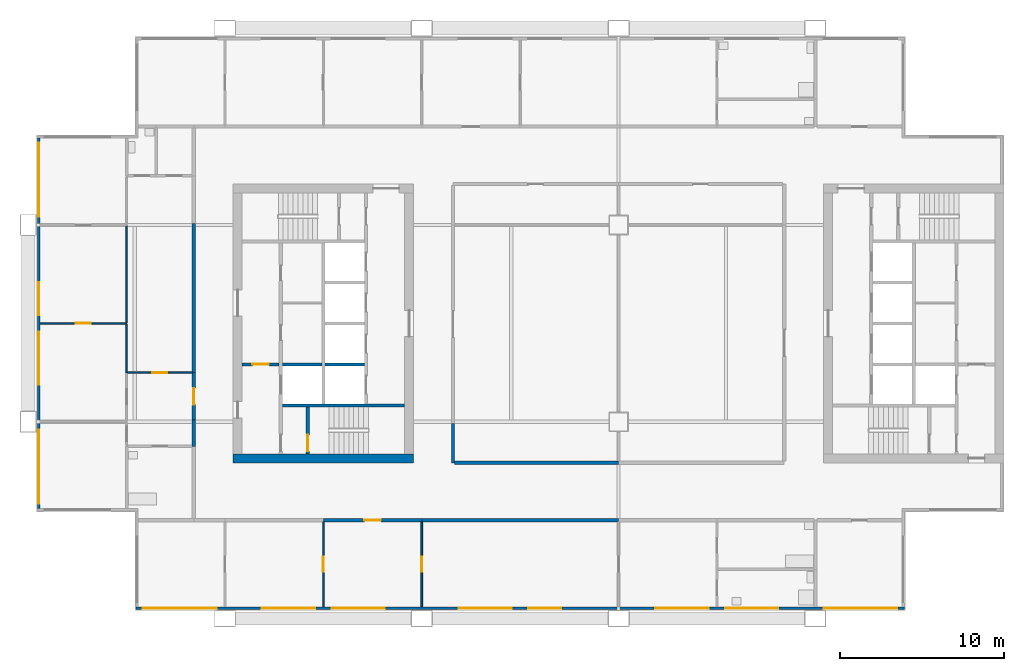
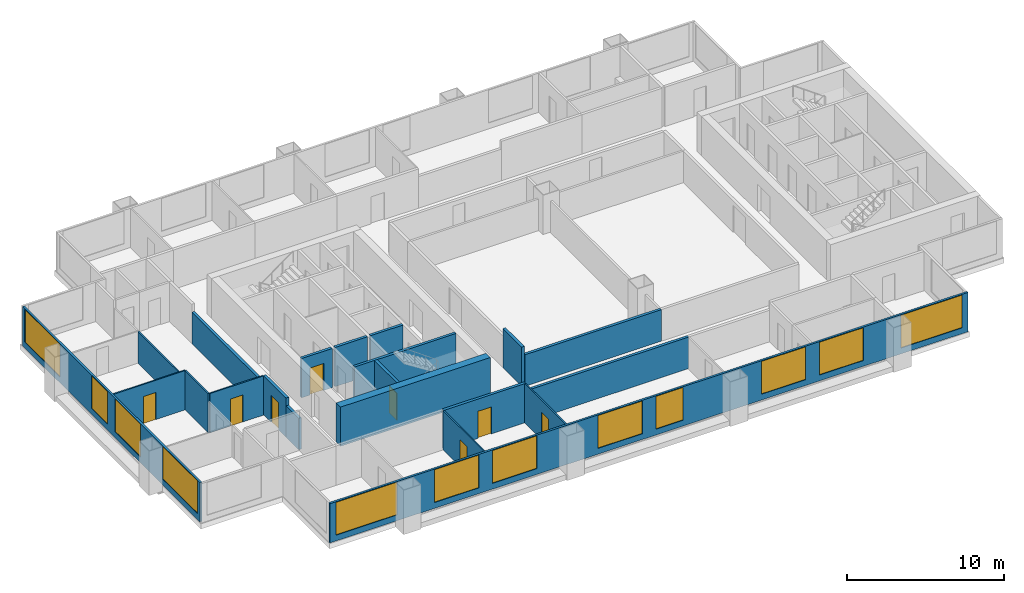
# One storey, part 2 of 8: 21 walls, 12 windows, 8 doors, 20 openings.
"""IFC4 building model written with IfcOpenShell, lengths in metres."""

from ifc_helpers import new_model, si_unit, direction, frame, frame_2d, origin, place, context, subcontext, project, spatial, rectangle, extrude, material, layer, layer_set, type_object, element, fill, save


model = new_model("IFC4")

# Units and contexts
model_context = context("Model", 3, precision=1e-05, world=origin(), true_north=direction((0.0, 1.0)))
body_context = subcontext(model_context, "Body", "Model", "MODEL_VIEW")
ifc_project = project(units=[si_unit("LENGTHUNIT", "METRE"), si_unit("AREAUNIT", "SQUARE_METRE"), si_unit("VOLUMEUNIT", "CUBIC_METRE"), si_unit("PLANEANGLEUNIT", "RADIAN"), si_unit("MASSUNIT", "GRAM", prefix="KILO")], contexts=[model_context])

# Site, building, storey
site_placement = place(None, origin())
site = spatial("IfcSite", under=ifc_project, at=site_placement, CompositionType="ELEMENT")
building_placement = place(site_placement, origin())
building = spatial("IfcBuilding", under=site, at=building_placement, Name="Kitamizu Gate Tower and Museum", CompositionType="ELEMENT")
storey_placement = place(building_placement, frame((0.0, 0.0, 172.050048828125)))
storey = spatial("IfcBuildingStorey", under=building, at=storey_placement, Name="L45", CompositionType="ELEMENT", Elevation=172.050048828125)

# Wall
ifc_material_1 = material(Name="Concrete Fc42", Category="concrete")
ifc_layer_1 = layer(ifc_material_1, 0.550048828125)
ifc_layer_set_1 = layer_set([ifc_layer_1], Name="Concrete Fc42")
wall_type_1 = type_object("IfcWallType", Name="Core wall 550", PredefinedType="SHEAR", material=ifc_layer_set_1)
wall_1_placement = place(storey_placement, frame((12.5, 21.77490234375, 0.0), z_axis=(0.0, 0.0, 1.0), x_axis=(1.0, 0.0, 0.0)))
element("IfcWall", 1, at=wall_1_placement, inside=storey, type_object=wall_type_1, Name="Core wall WS", PredefinedType="SHEAR", context=body_context, shape_type="SweptSolid", body=[
    extrude(rectangle(XDim=11.0, YDim=0.550048828125, at=frame_2d((5.5, 0.0))), origin(), (0.0, 0.0, 1.0), 3.050048828125),
])

# Wall, opening, door
ifc_material_2 = material(Name="Gypsum board on galvanised stud")
ifc_layer_2 = layer(ifc_material_2, 0.10009765625)
ifc_layer_set_2 = layer_set([ifc_layer_2], Name="Gypsum board on galvanised stud")
wall_type_2 = type_object("IfcWallType", Name="Partition 100 NOT RATED", PredefinedType="PARTITIONING", material=ifc_layer_set_2)
wall_2_placement = place(storey_placement, frame((18.0, 12.719970703125, 0.0), z_axis=(0.0, 0.0, 1.0), x_axis=(0.0, 1.0, 0.0)))
wall_2 = element("IfcWall", 2, at=wall_2_placement, inside=storey, type_object=wall_type_2, Name="Partition L45-004", PredefinedType="PARTITIONING", context=body_context, shape_type="SweptSolid", body=[
    extrude(rectangle(XDim=5.179931640625, YDim=0.10009765625, at=frame_2d((2.58984375, 0.0))), origin(), (0.0, 0.0, 1.0), 3.050048828125),
])
opening_1_placement = place(wall_2_placement, frame((2.139892578125, 0.0, 0.0)))
opening_1 = element("IfcOpeningElement", 3, at=opening_1_placement, cuts=wall_2, Name="Opening L45-003", PredefinedType="OPENING", context=body_context, shape_type="SweptSolid", body=[
    extrude(rectangle(XDim=0.89990234375, YDim=2.10009765625, at=frame_2d((0.449951171875, 1.050048828125))), frame((0.0, 0.06005859375, 0.0), z_axis=(0.0, -1.0, 0.0), x_axis=(1.0, 0.0, 0.0)), (0.0, 0.0, 1.0), 0.1201171875),
])
ifc_material_3 = material(Name="Timber door set", Category="wood")
door_type_1 = type_object("IfcDoorType", Name="Room door 900", OperationType="NOTDEFINED", PredefinedType="DOOR", material=ifc_material_3)
door_1_placement = place(opening_1_placement, origin())
door_1 = element("IfcDoor", 4, at=door_1_placement, inside=storey, type_object=door_type_1, Name="Door L45-003", OperationType="SINGLE_SWING_RIGHT", OverallHeight=2.10009765625, OverallWidth=0.89990234375, PredefinedType="DOOR", context=body_context, shape_type="SweptSolid", body=[
    extrude(rectangle(XDim=0.89990234375, YDim=2.10009765625, at=frame_2d((0.449951171875, 1.050048828125))), frame((0.0, 0.02490234375, 0.0), z_axis=(0.0, -1.0, 0.0), x_axis=(1.0, 0.0, 0.0)), (0.0, 0.0, 1.0), 0.050048828125),
])
fill(opening_1, door_1)

wall_3_placement = place(storey_placement, frame((24.0, 12.719970703125, 0.0), z_axis=(0.0, 0.0, 1.0), x_axis=(0.0, 1.0, 0.0)))
wall_3 = element("IfcWall", 5, at=wall_3_placement, inside=storey, type_object=wall_type_2, Name="Partition L45-006", PredefinedType="PARTITIONING", context=body_context, shape_type="SweptSolid", body=[
    extrude(rectangle(XDim=5.179931640625, YDim=0.10009765625, at=frame_2d((2.58984375, 0.0))), origin(), (0.0, 0.0, 1.0), 3.050048828125),
])
opening_2_placement = place(wall_3_placement, frame((2.139892578125, 0.0, 0.0)))
opening_2 = element("IfcOpeningElement", 6, at=opening_2_placement, cuts=wall_3, Name="Opening L45-002", PredefinedType="OPENING", context=body_context, shape_type="SweptSolid", body=[
    extrude(rectangle(XDim=0.89990234375, YDim=2.10009765625, at=frame_2d((0.449951171875, 1.050048828125))), frame((0.0, 0.06005859375, 0.0), z_axis=(0.0, -1.0, 0.0), x_axis=(1.0, 0.0, 0.0)), (0.0, 0.0, 1.0), 0.1201171875),
])
door_2_placement = place(opening_2_placement, frame((0.89990234375, 0.0, 0.0), x_axis=(-1.0, 0.0, 0.0)))
door_2 = element("IfcDoor", 7, at=door_2_placement, inside=storey, type_object=door_type_1, Name="Door L45-002", OperationType="SINGLE_SWING_RIGHT", OverallHeight=2.10009765625, OverallWidth=0.89990234375, PredefinedType="DOOR", context=body_context, shape_type="SweptSolid", body=[
    extrude(rectangle(XDim=0.89990234375, YDim=2.10009765625, at=frame_2d((0.449951171875, 1.050048828125))), frame((0.0, 0.02490234375, 0.0), z_axis=(0.0, -1.0, 0.0), x_axis=(1.0, 0.0, 0.0)), (0.0, 0.0, 1.0), 0.050048828125),
])
fill(opening_2, door_2)

wall_4_placement = place(storey_placement, frame((6.0, 30.0, 0.0), z_axis=(0.0, 0.0, 1.0), x_axis=(-1.0, 0.0, 0.0)))
wall_4 = element("IfcWall", 8, at=wall_4_placement, inside=storey, type_object=wall_type_2, Name="Partition L45-040", PredefinedType="PARTITIONING", context=body_context, shape_type="SweptSolid", body=[
    extrude(rectangle(XDim=5.280029296875, YDim=0.10009765625, at=frame_2d((2.64013671875, 0.0))), origin(), (0.0, 0.0, 1.0), 3.050048828125),
])
opening_3_placement = place(wall_4_placement, frame((2.18994140625, 0.0, 0.0)))
opening_3 = element("IfcOpeningElement", 9, at=opening_3_placement, cuts=wall_4, Name="Opening L45-019", PredefinedType="OPENING", context=body_context, shape_type="SweptSolid", body=[
    extrude(rectangle(XDim=0.89990234375, YDim=2.10009765625, at=frame_2d((0.449951171875, 1.050048828125))), frame((0.0, 0.06005859375, 0.0), z_axis=(0.0, -1.0, 0.0), x_axis=(1.0, 0.0, 0.0)), (0.0, 0.0, 1.0), 0.1201171875),
])
door_3_placement = place(opening_3_placement, origin())
door_3 = element("IfcDoor", 10, at=door_3_placement, inside=storey, type_object=door_type_1, Name="Door L45-019", OperationType="SINGLE_SWING_LEFT", OverallHeight=2.10009765625, OverallWidth=0.89990234375, PredefinedType="DOOR", context=body_context, shape_type="SweptSolid", body=[
    extrude(rectangle(XDim=0.89990234375, YDim=2.10009765625, at=frame_2d((0.449951171875, 1.050048828125))), frame((0.0, 0.02490234375, 0.0), z_axis=(0.0, -1.0, 0.0), x_axis=(1.0, 0.0, 0.0)), (0.0, 0.0, 1.0), 0.050048828125),
])
fill(opening_3, door_3)

# Walls
wall_5_placement = place(storey_placement, frame((6.0, 27.0, 0.0), z_axis=(0.0, 0.0, 1.0), x_axis=(0.0, 1.0, 0.0)))
element("IfcWall", 11, at=wall_5_placement, inside=storey, type_object=wall_type_2, Name="Partition L45-042", PredefinedType="PARTITIONING", context=body_context, shape_type="SweptSolid", body=[
    extrude(rectangle(XDim=2.949951171875, YDim=0.10009765625, at=frame_2d((1.47509765625, 0.0))), origin(), (0.0, 0.0, 1.0), 3.050048828125),
])
wall_6_placement = place(storey_placement, frame((6.0, 30.050048828125, 0.0), z_axis=(0.0, 0.0, 1.0), x_axis=(0.0, 1.0, 0.0)))
element("IfcWall", 12, at=wall_6_placement, inside=storey, type_object=wall_type_2, Name="Partition L45-044", PredefinedType="PARTITIONING", context=body_context, shape_type="SweptSolid", body=[
    extrude(rectangle(XDim=5.89990234375, YDim=0.10009765625, at=frame_2d((2.949951171875, 0.0))), origin(), (0.0, 0.0, 1.0), 2.449951171875),
])

# Wall, opening, door
wall_7_placement = place(storey_placement, frame((10.0, 27.0, 0.0), z_axis=(0.0, 0.0, 1.0), x_axis=(-1.0, 0.0, 0.0)))
wall_7 = element("IfcWall", 13, at=wall_7_placement, inside=storey, type_object=wall_type_2, Name="Partition L45-049", PredefinedType="PARTITIONING", context=body_context, shape_type="SweptSolid", body=[
    extrude(rectangle(XDim=3.949951171875, YDim=0.10009765625, at=frame_2d((1.97509765625, 0.0))), origin(), (0.0, 0.0, 1.0), 3.050048828125),
])
opening_4_placement = place(wall_7_placement, frame((1.52490234375, 0.0, 0.0)))
opening_4 = element("IfcOpeningElement", 14, at=opening_4_placement, cuts=wall_7, Name="Opening L45-018", PredefinedType="OPENING", context=body_context, shape_type="SweptSolid", body=[
    extrude(rectangle(XDim=0.89990234375, YDim=2.10009765625, at=frame_2d((0.449951171875, 1.050048828125))), frame((0.0, 0.06005859375, 0.0), z_axis=(0.0, -1.0, 0.0), x_axis=(1.0, 0.0, 0.0)), (0.0, 0.0, 1.0), 0.1201171875),
])
door_4_placement = place(opening_4_placement, origin())
door_4 = element("IfcDoor", 15, at=door_4_placement, inside=storey, type_object=door_type_1, Name="Door L45-018", OperationType="SINGLE_SWING_RIGHT", OverallHeight=2.10009765625, OverallWidth=0.89990234375, PredefinedType="DOOR", context=body_context, shape_type="SweptSolid", body=[
    extrude(rectangle(XDim=0.89990234375, YDim=2.10009765625, at=frame_2d((0.449951171875, 1.050048828125))), frame((0.0, 0.02490234375, 0.0), z_axis=(0.0, -1.0, 0.0), x_axis=(1.0, 0.0, 0.0)), (0.0, 0.0, 1.0), 0.050048828125),
])
fill(opening_4, door_4)

ifc_material_4 = material(Name="Gypsum board on galvanised stud")
ifc_layer_3 = layer(ifc_material_4, 0.199951171875)
ifc_layer_set_3 = layer_set([ifc_layer_3], Name="Gypsum board on galvanised stud")
wall_type_3 = type_object("IfcWallType", Name="Partition 200", PredefinedType="PARTITIONING", material=ifc_layer_set_3)
wall_8_placement = place(storey_placement, frame((24.0, 18.0, 0.0), z_axis=(0.0, 0.0, 1.0), x_axis=(-1.0, 0.0, 0.0)))
wall_8 = element("IfcWall", 16, at=wall_8_placement, inside=storey, type_object=wall_type_3, Name="Partition L45-007", PredefinedType="PARTITIONING", context=body_context, shape_type="SweptSolid", body=[
    extrude(rectangle(XDim=6.0, YDim=0.199951171875, at=frame_2d((3.0, 0.0))), origin(), (0.0, 0.0, 1.0), 3.050048828125),
])
opening_5_placement = place(wall_8_placement, frame((2.5, 0.0, 0.0)))
opening_5 = element("IfcOpeningElement", 17, at=opening_5_placement, cuts=wall_8, Name="Opening L45-001", PredefinedType="OPENING", context=body_context, shape_type="SweptSolid", body=[
    extrude(rectangle(XDim=1.0, YDim=2.10009765625, at=frame_2d((0.5, 1.050048828125))), frame((0.0, 0.10986328125, 0.0), z_axis=(0.0, -1.0, 0.0), x_axis=(1.0, 0.0, 0.0)), (0.0, 0.0, 1.0), 0.219970703125),
])
ifc_material_5 = material(Name="Timber door set", Category="wood")
door_type_2 = type_object("IfcDoorType", Name="Flat entrance door 1000", OperationType="NOTDEFINED", PredefinedType="DOOR", material=ifc_material_5)
door_5_placement = place(opening_5_placement, origin())
door_5 = element("IfcDoor", 18, at=door_5_placement, inside=storey, type_object=door_type_2, Name="Flat entrance door L45-001", OperationType="SINGLE_SWING_RIGHT", OverallHeight=2.10009765625, OverallWidth=1.0, PredefinedType="DOOR", context=body_context, shape_type="SweptSolid", body=[
    extrude(rectangle(XDim=1.0, YDim=2.10009765625, at=frame_2d((0.5, 1.050048828125))), frame((0.0, 0.02490234375, 0.0), z_axis=(0.0, -1.0, 0.0), x_axis=(1.0, 0.0, 0.0)), (0.0, 0.0, 1.0), 0.050048828125),
])
fill(opening_5, door_5)

# Walls
wall_9_placement = place(storey_placement, frame((36.0, 18.0, 0.0), z_axis=(0.0, 0.0, 1.0), x_axis=(-1.0, 0.0, 0.0)))
element("IfcWall", 19, at=wall_9_placement, inside=storey, type_object=wall_type_3, Name="Partition L45-009", PredefinedType="PARTITIONING", context=body_context, shape_type="SweptSolid", body=[
    extrude(rectangle(XDim=12.0, YDim=0.199951171875, at=frame_2d((6.0, 0.0))), origin(), (0.0, 0.0, 1.0), 2.449951171875),
])
wall_10_placement = place(storey_placement, frame((10.10009765625, 22.5, 0.0), z_axis=(0.0, 0.0, 1.0), x_axis=(0.0, 1.0, 0.0)))
element("IfcWall", 20, at=wall_10_placement, inside=storey, type_object=wall_type_3, Name="Partition L45-050", PredefinedType="PARTITIONING", context=body_context, shape_type="SweptSolid", body=[
    extrude(rectangle(XDim=1.60009765625, YDim=0.199951171875, at=frame_2d((0.800048828125, 0.0))), origin(), (0.0, 0.0, 1.0), 2.449951171875),
])

# Wall, opening, door
wall_11_placement = place(storey_placement, frame((10.10009765625, 24.10009765625, 0.0), z_axis=(0.0, 0.0, 1.0), x_axis=(0.0, 1.0, 0.0)))
wall_11 = element("IfcWall", 21, at=wall_11_placement, inside=storey, type_object=wall_type_3, Name="Partition L45-051", PredefinedType="PARTITIONING", context=body_context, shape_type="SweptSolid", body=[
    extrude(rectangle(XDim=2.89990234375, YDim=0.199951171875, at=frame_2d((1.449951171875, 0.0))), origin(), (0.0, 0.0, 1.0), 3.050048828125),
])
opening_6_placement = place(wall_11_placement, frame((0.949951171875, 0.0, 0.0)))
opening_6 = element("IfcOpeningElement", 22, at=opening_6_placement, cuts=wall_11, Name="Opening L45-015", PredefinedType="OPENING", context=body_context, shape_type="SweptSolid", body=[
    extrude(rectangle(XDim=1.0, YDim=2.10009765625, at=frame_2d((0.5, 1.050048828125))), frame((0.0, 0.10986328125, 0.0), z_axis=(0.0, -1.0, 0.0), x_axis=(1.0, 0.0, 0.0)), (0.0, 0.0, 1.0), 0.219970703125),
])
door_6_placement = place(opening_6_placement, origin())
door_6 = element("IfcDoor", 23, at=door_6_placement, inside=storey, type_object=door_type_2, Name="Flat entrance door L45-015", OperationType="SINGLE_SWING_LEFT", OverallHeight=2.10009765625, OverallWidth=1.0, PredefinedType="DOOR", context=body_context, shape_type="SweptSolid", body=[
    extrude(rectangle(XDim=1.0, YDim=2.10009765625, at=frame_2d((0.5, 1.050048828125))), frame((0.0, 0.02490234375, 0.0), z_axis=(0.0, -1.0, 0.0), x_axis=(1.0, 0.0, 0.0)), (0.0, 0.0, 1.0), 0.050048828125),
])
fill(opening_6, door_6)

# Walls
wall_12_placement = place(storey_placement, frame((10.10009765625, 27.0, 0.0), z_axis=(0.0, 0.0, 1.0), x_axis=(0.0, 1.0, 0.0)))
element("IfcWall", 24, at=wall_12_placement, inside=storey, type_object=wall_type_3, Name="Partition L45-054", PredefinedType="PARTITIONING", context=body_context, shape_type="SweptSolid", body=[
    extrude(rectangle(XDim=9.10009765625, YDim=0.199951171875, at=frame_2d((4.550048828125, 0.0))), origin(), (0.0, 0.0, 1.0), 2.449951171875),
])
wall_13_placement = place(storey_placement, frame((25.89990234375, 23.89990234375, 0.0), z_axis=(0.0, 0.0, 1.0), x_axis=(0.0, -1.0, 0.0)))
element("IfcWall", 25, at=wall_13_placement, inside=storey, type_object=wall_type_3, Name="Partition L45-059", PredefinedType="PARTITIONING", context=body_context, shape_type="SweptSolid", body=[
    extrude(rectangle(XDim=2.39990234375, YDim=0.199951171875, at=frame_2d((1.199951171875, 0.0))), origin(), (0.0, 0.0, 1.0), 3.050048828125),
])
wall_14_placement = place(storey_placement, frame((26.0, 21.5, 0.0), z_axis=(0.0, 0.0, 1.0), x_axis=(1.0, 0.0, 0.0)))
element("IfcWall", 26, at=wall_14_placement, inside=storey, type_object=wall_type_3, Name="Partition L45-060", PredefinedType="PARTITIONING", context=body_context, shape_type="SweptSolid", body=[
    extrude(rectangle(XDim=10.0, YDim=0.199951171875, at=frame_2d((5.0, 0.0))), origin(), (0.0, 0.0, 1.0), 2.449951171875),
])
ifc_material_6 = material(Name="Concrete Fc42", Category="concrete")
ifc_layer_4 = layer(ifc_material_6, 0.199951171875)
ifc_layer_set_4 = layer_set([ifc_layer_4], Name="Concrete Fc42")
wall_type_4 = type_object("IfcWallType", Name="Shaft wall 200", PredefinedType="SOLIDWALL", material=ifc_layer_set_4)
wall_15_placement = place(storey_placement, frame((15.5, 25.0, 0.0), z_axis=(0.0, 0.0, 1.0), x_axis=(1.0, 0.0, 0.0)))
element("IfcWall", 27, at=wall_15_placement, inside=storey, type_object=wall_type_4, Name="Shaft wall WSB", PredefinedType="SOLIDWALL", context=body_context, shape_type="SweptSolid", body=[
    extrude(rectangle(XDim=7.449951171875, YDim=0.199951171875, at=frame_2d((3.72509765625, 0.0))), origin(), (0.0, 0.0, 1.0), 3.050048828125),
])

# Wall, opening, door
wall_16_placement = place(storey_placement, frame((13.050048828125, 27.5, 0.0), z_axis=(0.0, 0.0, 1.0), x_axis=(1.0, 0.0, 0.0)))
wall_16 = element("IfcWall", 28, at=wall_16_placement, inside=storey, type_object=wall_type_4, Name="Shaft wall WFFN", PredefinedType="SOLIDWALL", context=body_context, shape_type="SweptSolid", body=[
    extrude(rectangle(XDim=2.25, YDim=0.199951171875, at=frame_2d((1.125, 0.0))), origin(), (0.0, 0.0, 1.0), 3.050048828125),
])
opening_7_placement = place(wall_16_placement, frame((0.625, 0.0, 0.0)))
opening_7 = element("IfcOpeningElement", 29, at=opening_7_placement, cuts=wall_16, Name="Opening L45-034", PredefinedType="OPENING", context=body_context, shape_type="SweptSolid", body=[
    extrude(rectangle(XDim=1.0, YDim=2.10009765625, at=frame_2d((0.5, 1.050048828125))), frame((0.0, 0.10986328125, 0.0), z_axis=(0.0, -1.0, 0.0), x_axis=(1.0, 0.0, 0.0)), (0.0, 0.0, 1.0), 0.219970703125),
])
ifc_material_7 = material(Name="Hollow metal door set")
door_type_3 = type_object("IfcDoorType", Name="Fire door 1000", OperationType="NOTDEFINED", PredefinedType="DOOR", material=ifc_material_7)
door_7_placement = place(opening_7_placement, frame((1.0, 0.0, 0.0), x_axis=(-1.0, 0.0, 0.0)))
door_7 = element("IfcDoor", 30, at=door_7_placement, inside=storey, type_object=door_type_3, Name="Fire-fighting lobby door L45-034", OperationType="SINGLE_SWING_LEFT", OverallHeight=2.10009765625, OverallWidth=1.0, PredefinedType="DOOR", context=body_context, shape_type="SweptSolid", body=[
    extrude(rectangle(XDim=1.0, YDim=2.10009765625, at=frame_2d((0.5, 1.050048828125))), frame((0.0, 0.02490234375, 0.0), z_axis=(0.0, -1.0, 0.0), x_axis=(1.0, 0.0, 0.0)), (0.0, 0.0, 1.0), 0.050048828125),
])
fill(opening_7, door_7)

wall_17_placement = place(storey_placement, frame((17.050048828125, 22.050048828125, 0.0), z_axis=(0.0, 0.0, 1.0), x_axis=(0.0, 1.0, 0.0)))
wall_17 = element("IfcWall", 31, at=wall_17_placement, inside=storey, type_object=wall_type_4, Name="Shaft wall WSZ", PredefinedType="SOLIDWALL", context=body_context, shape_type="SweptSolid", body=[
    extrude(rectangle(XDim=2.849853515625, YDim=0.199951171875, at=frame_2d((1.4248046875, 0.0))), origin(), (0.0, 0.0, 1.0), 3.050048828125),
])
opening_8_placement = place(wall_17_placement, frame((0.14990234375, 0.0, 0.0)))
opening_8 = element("IfcOpeningElement", 32, at=opening_8_placement, cuts=wall_17, Name="Opening L45-030", PredefinedType="OPENING", context=body_context, shape_type="SweptSolid", body=[
    extrude(rectangle(XDim=1.0, YDim=2.10009765625, at=frame_2d((0.5, 1.050048828125))), frame((0.0, 0.10986328125, 0.0), z_axis=(0.0, -1.0, 0.0), x_axis=(1.0, 0.0, 0.0)), (0.0, 0.0, 1.0), 0.219970703125),
])
door_8_placement = place(opening_8_placement, frame((1.0, 0.0, 0.0), x_axis=(-1.0, 0.0, 0.0)))
door_8 = element("IfcDoor", 33, at=door_8_placement, inside=storey, type_object=door_type_3, Name="Stair door L45-030", OperationType="SINGLE_SWING_LEFT", OverallHeight=2.10009765625, OverallWidth=1.0, PredefinedType="DOOR", context=body_context, shape_type="SweptSolid", body=[
    extrude(rectangle(XDim=1.0, YDim=2.10009765625, at=frame_2d((0.5, 1.050048828125))), frame((0.0, 0.02490234375, 0.0), z_axis=(0.0, -1.0, 0.0), x_axis=(1.0, 0.0, 0.0)), (0.0, 0.0, 1.0), 0.050048828125),
])
fill(opening_8, door_8)

# Walls
for number, where, z_axis, x_axis, name in (
    (34, (15.5, 27.5, 0.0), (0.0, 0.0, 1.0), (1.0, 0.0, 0.0), "Shaft wall WDVW0"),
    (35, (18.10009765625, 27.5, 0.0), (0.0, 0.0, 1.0), (1.0, 0.0, 0.0), "Shaft wall WDVE0"),
):
    element("IfcWall", number, at=place(storey_placement, frame(where, z_axis=z_axis, x_axis=x_axis)), inside=storey, type_object=wall_type_4, Name=name, PredefinedType="SOLIDWALL", context=body_context, shape_type="SweptSolid", body=[
        extrude(rectangle(XDim=2.39990234375, YDim=0.199951171875, at=frame_2d((1.199951171875, 0.0))), origin(), (0.0, 0.0, 1.0), 3.050048828125),
    ])

# Wall, openings, windows
ifc_material_8 = material(Name="Bronze anodised aluminium frame with insulated spandrel and tinted glass", Category="aluminium")
ifc_layer_5 = layer(ifc_material_8, 0.14990234375)
ifc_layer_set_5 = layer_set([ifc_layer_5], Name="Bronze anodised aluminium frame with insulated spandrel and tinted glass")
wall_type_5 = type_object("IfcWallType", Name="WINDOW WALL 150 BRONZE FRAME EI 30", PredefinedType="ELEMENTEDWALL", material=ifc_layer_set_5)
wall_18_placement = place(storey_placement, frame((6.56005859375, 12.635009765625, 0.0), z_axis=(0.0, 0.0, 1.0), x_axis=(1.0, 0.0, 0.0)))
wall_18 = element("IfcWall", 36, at=wall_18_placement, inside=storey, type_object=wall_type_5, Name="Window wall south L45", PredefinedType="ELEMENTEDWALL", context=body_context, shape_type="SweptSolid", body=[
    extrude(rectangle(XDim=46.8798828125, YDim=0.14990234375, at=frame_2d((23.43994140625, 0.0))), origin(), (0.0, 0.0, 1.0), 3.050048828125),
])
opening_9_placement = place(wall_18_placement, frame((0.43994140625, 0.0, 0.449951171875)))
opening_9 = element("IfcOpeningElement", 37, at=opening_9_placement, cuts=wall_18, Name="Opening W15", PredefinedType="OPENING", context=body_context, shape_type="SweptSolid", body=[
    extrude(rectangle(XDim=4.5, YDim=2.550048828125, at=frame_2d((2.25, 1.27490234375))), frame((0.0, 0.0849609375, 0.0), z_axis=(0.0, -1.0, 0.0), x_axis=(1.0, 0.0, 0.0)), (0.0, 0.0, 1.0), 0.169921875),
])
opening_10_placement = place(wall_18_placement, frame((7.68994140625, 0.0, 0.449951171875)))
opening_10 = element("IfcOpeningElement", 38, at=opening_10_placement, cuts=wall_18, Name="Opening W34", PredefinedType="OPENING", context=body_context, shape_type="SweptSolid", body=[
    extrude(rectangle(XDim=3.25, YDim=2.550048828125, at=frame_2d((1.625, 1.27490234375))), frame((0.0, 0.0849609375, 0.0), z_axis=(0.0, -1.0, 0.0), x_axis=(1.0, 0.0, 0.0)), (0.0, 0.0, 1.0), 0.169921875),
])
opening_11_placement = place(wall_18_placement, frame((11.93994140625, 0.0, 0.449951171875)))
opening_11 = element("IfcOpeningElement", 39, at=opening_11_placement, cuts=wall_18, Name="Opening W34", PredefinedType="OPENING", context=body_context, shape_type="SweptSolid", body=[
    extrude(rectangle(XDim=3.25, YDim=2.550048828125, at=frame_2d((1.625, 1.27490234375))), frame((0.0, 0.0849609375, 0.0), z_axis=(0.0, -1.0, 0.0), x_axis=(1.0, 0.0, 0.0)), (0.0, 0.0, 1.0), 0.169921875),
])
opening_12_placement = place(wall_18_placement, frame((19.68994140625, 0.0, 0.449951171875)))
opening_12 = element("IfcOpeningElement", 40, at=opening_12_placement, cuts=wall_18, Name="Opening W34", PredefinedType="OPENING", context=body_context, shape_type="SweptSolid", body=[
    extrude(rectangle(XDim=3.25, YDim=2.550048828125, at=frame_2d((1.625, 1.27490234375))), frame((0.0, 0.0849609375, 0.0), z_axis=(0.0, -1.0, 0.0), x_axis=(1.0, 0.0, 0.0)), (0.0, 0.0, 1.0), 0.169921875),
])
opening_13_placement = place(wall_18_placement, frame((23.93994140625, 0.0, 0.449951171875)))
opening_13 = element("IfcOpeningElement", 41, at=opening_13_placement, cuts=wall_18, Name="Opening W2", PredefinedType="OPENING", context=body_context, shape_type="SweptSolid", body=[
    extrude(rectangle(XDim=2.0, YDim=2.550048828125, at=frame_2d((1.0, 1.27490234375))), frame((0.0, 0.0849609375, 0.0), z_axis=(0.0, -1.0, 0.0), x_axis=(1.0, 0.0, 0.0)), (0.0, 0.0, 1.0), 0.169921875),
])
opening_14_placement = place(wall_18_placement, frame((31.68994140625, 0.0, 0.449951171875)))
opening_14 = element("IfcOpeningElement", 42, at=opening_14_placement, cuts=wall_18, Name="Opening W34", PredefinedType="OPENING", context=body_context, shape_type="SweptSolid", body=[
    extrude(rectangle(XDim=3.25, YDim=2.550048828125, at=frame_2d((1.625, 1.27490234375))), frame((0.0, 0.0849609375, 0.0), z_axis=(0.0, -1.0, 0.0), x_axis=(1.0, 0.0, 0.0)), (0.0, 0.0, 1.0), 0.169921875),
])
opening_15_placement = place(wall_18_placement, frame((35.93994140625, 0.0, 0.449951171875)))
opening_15 = element("IfcOpeningElement", 43, at=opening_15_placement, cuts=wall_18, Name="Opening W34", PredefinedType="OPENING", context=body_context, shape_type="SweptSolid", body=[
    extrude(rectangle(XDim=3.25, YDim=2.550048828125, at=frame_2d((1.625, 1.27490234375))), frame((0.0, 0.0849609375, 0.0), z_axis=(0.0, -1.0, 0.0), x_axis=(1.0, 0.0, 0.0)), (0.0, 0.0, 1.0), 0.169921875),
])
opening_16_placement = place(wall_18_placement, frame((41.93994140625, 0.0, 0.449951171875)))
opening_16 = element("IfcOpeningElement", 44, at=opening_16_placement, cuts=wall_18, Name="Opening W15", PredefinedType="OPENING", context=body_context, shape_type="SweptSolid", body=[
    extrude(rectangle(XDim=4.5, YDim=2.550048828125, at=frame_2d((2.25, 1.27490234375))), frame((0.0, 0.0849609375, 0.0), z_axis=(0.0, -1.0, 0.0), x_axis=(1.0, 0.0, 0.0)), (0.0, 0.0, 1.0), 0.169921875),
])
ifc_material_9 = material(Name="Bronze anodised aluminium frame, tinted triple glazing", Category="aluminium")
window_type_1 = type_object("IfcWindowType", Name="WINDOW 2000 x 2550 SILL 450", PartitioningType="SINGLE_PANEL", PredefinedType="WINDOW", material=ifc_material_9)
window_1_placement = place(opening_13_placement, origin())
window_1 = element("IfcWindow", 45, at=window_1_placement, inside=storey, type_object=window_type_1, Name="Window W2 L45", OverallHeight=2.550048828125, OverallWidth=2.0, PartitioningType="SINGLE_PANEL", PredefinedType="WINDOW", context=body_context, shape_type="SweptSolid", body=[
    extrude(rectangle(XDim=2.0, YDim=2.550048828125, at=frame_2d((1.0, 1.27490234375))), frame((0.0, 0.030029296875, 0.0), z_axis=(0.0, -1.0, 0.0), x_axis=(1.0, 0.0, 0.0)), (0.0, 0.0, 1.0), 0.06005859375),
])
fill(opening_13, window_1)
ifc_material_10 = material(Name="Bronze anodised aluminium frame, tinted triple glazing", Category="aluminium")
window_type_2 = type_object("IfcWindowType", Name="WINDOW 3250 x 2550 SILL 450", PartitioningType="SINGLE_PANEL", PredefinedType="WINDOW", material=ifc_material_10)
window_2_placement = place(opening_10_placement, origin())
window_2 = element("IfcWindow", 46, at=window_2_placement, inside=storey, type_object=window_type_2, Name="Window W34 L45", OverallHeight=2.550048828125, OverallWidth=3.25, PartitioningType="SINGLE_PANEL", PredefinedType="WINDOW", context=body_context, shape_type="SweptSolid", body=[
    extrude(rectangle(XDim=3.25, YDim=2.550048828125, at=frame_2d((1.625, 1.27490234375))), frame((0.0, 0.030029296875, 0.0), z_axis=(0.0, -1.0, 0.0), x_axis=(1.0, 0.0, 0.0)), (0.0, 0.0, 1.0), 0.06005859375),
])
fill(opening_10, window_2)
window_3_placement = place(opening_11_placement, origin())
window_3 = element("IfcWindow", 47, at=window_3_placement, inside=storey, type_object=window_type_2, Name="Window W34 L45", OverallHeight=2.550048828125, OverallWidth=3.25, PartitioningType="SINGLE_PANEL", PredefinedType="WINDOW", context=body_context, shape_type="SweptSolid", body=[
    extrude(rectangle(XDim=3.25, YDim=2.550048828125, at=frame_2d((1.625, 1.27490234375))), frame((0.0, 0.030029296875, 0.0), z_axis=(0.0, -1.0, 0.0), x_axis=(1.0, 0.0, 0.0)), (0.0, 0.0, 1.0), 0.06005859375),
])
fill(opening_11, window_3)
window_4_placement = place(opening_12_placement, origin())
window_4 = element("IfcWindow", 48, at=window_4_placement, inside=storey, type_object=window_type_2, Name="Window W34 L45", OverallHeight=2.550048828125, OverallWidth=3.25, PartitioningType="SINGLE_PANEL", PredefinedType="WINDOW", context=body_context, shape_type="SweptSolid", body=[
    extrude(rectangle(XDim=3.25, YDim=2.550048828125, at=frame_2d((1.625, 1.27490234375))), frame((0.0, 0.030029296875, 0.0), z_axis=(0.0, -1.0, 0.0), x_axis=(1.0, 0.0, 0.0)), (0.0, 0.0, 1.0), 0.06005859375),
])
fill(opening_12, window_4)
window_5_placement = place(opening_14_placement, origin())
window_5 = element("IfcWindow", 49, at=window_5_placement, inside=storey, type_object=window_type_2, Name="Window W34 L45", OverallHeight=2.550048828125, OverallWidth=3.25, PartitioningType="SINGLE_PANEL", PredefinedType="WINDOW", context=body_context, shape_type="SweptSolid", body=[
    extrude(rectangle(XDim=3.25, YDim=2.550048828125, at=frame_2d((1.625, 1.27490234375))), frame((0.0, 0.030029296875, 0.0), z_axis=(0.0, -1.0, 0.0), x_axis=(1.0, 0.0, 0.0)), (0.0, 0.0, 1.0), 0.06005859375),
])
fill(opening_14, window_5)
window_6_placement = place(opening_15_placement, origin())
window_6 = element("IfcWindow", 50, at=window_6_placement, inside=storey, type_object=window_type_2, Name="Window W34 L45", OverallHeight=2.550048828125, OverallWidth=3.25, PartitioningType="SINGLE_PANEL", PredefinedType="WINDOW", context=body_context, shape_type="SweptSolid", body=[
    extrude(rectangle(XDim=3.25, YDim=2.550048828125, at=frame_2d((1.625, 1.27490234375))), frame((0.0, 0.030029296875, 0.0), z_axis=(0.0, -1.0, 0.0), x_axis=(1.0, 0.0, 0.0)), (0.0, 0.0, 1.0), 0.06005859375),
])
fill(opening_15, window_6)
ifc_material_11 = material(Name="Bronze anodised aluminium frame, tinted triple glazing", Category="aluminium")
window_type_3 = type_object("IfcWindowType", Name="WINDOW 4500 x 2550 SILL 450", PartitioningType="SINGLE_PANEL", PredefinedType="WINDOW", material=ifc_material_11)
window_7_placement = place(opening_9_placement, origin())
window_7 = element("IfcWindow", 51, at=window_7_placement, inside=storey, type_object=window_type_3, Name="Window W15 L45", OverallHeight=2.550048828125, OverallWidth=4.5, PartitioningType="SINGLE_PANEL", PredefinedType="WINDOW", context=body_context, shape_type="SweptSolid", body=[
    extrude(rectangle(XDim=4.5, YDim=2.550048828125, at=frame_2d((2.25, 1.27490234375))), frame((0.0, 0.030029296875, 0.0), z_axis=(0.0, -1.0, 0.0), x_axis=(1.0, 0.0, 0.0)), (0.0, 0.0, 1.0), 0.06005859375),
])
fill(opening_9, window_7)
window_8_placement = place(opening_16_placement, origin())
window_8 = element("IfcWindow", 52, at=window_8_placement, inside=storey, type_object=window_type_3, Name="Window W15 L45", OverallHeight=2.550048828125, OverallWidth=4.5, PartitioningType="SINGLE_PANEL", PredefinedType="WINDOW", context=body_context, shape_type="SweptSolid", body=[
    extrude(rectangle(XDim=4.5, YDim=2.550048828125, at=frame_2d((2.25, 1.27490234375))), frame((0.0, 0.030029296875, 0.0), z_axis=(0.0, -1.0, 0.0), x_axis=(1.0, 0.0, 0.0)), (0.0, 0.0, 1.0), 0.06005859375),
])
fill(opening_16, window_8)

wall_19_placement = place(storey_placement, frame((0.635009765625, 18.7099609375, 0.0), z_axis=(0.0, 0.0, 1.0), x_axis=(0.0, 1.0, 0.0)))
wall_19 = element("IfcWall", 53, at=wall_19_placement, inside=storey, type_object=wall_type_5, Name="Window wall west L45", PredefinedType="ELEMENTEDWALL", context=body_context, shape_type="SweptSolid", body=[
    extrude(rectangle(XDim=22.580078125, YDim=0.14990234375, at=frame_2d((11.2900390625, 0.0))), origin(), (0.0, 0.0, 1.0), 3.050048828125),
])
opening_17_placement = place(wall_19_placement, frame((0.2900390625, 0.0, 0.449951171875)))
opening_17 = element("IfcOpeningElement", 54, at=opening_17_placement, cuts=wall_19, Name="Opening W15", PredefinedType="OPENING", context=body_context, shape_type="SweptSolid", body=[
    extrude(rectangle(XDim=4.5, YDim=2.550048828125, at=frame_2d((2.25, 1.27490234375))), frame((0.0, 0.0849609375, 0.0), z_axis=(0.0, -1.0, 0.0), x_axis=(1.0, 0.0, 0.0)), (0.0, 0.0, 1.0), 0.169921875),
])
opening_18_placement = place(wall_19_placement, frame((7.5400390625, 0.0, 0.449951171875)))
opening_18 = element("IfcOpeningElement", 55, at=opening_18_placement, cuts=wall_19, Name="Opening W34", PredefinedType="OPENING", context=body_context, shape_type="SweptSolid", body=[
    extrude(rectangle(XDim=3.25, YDim=2.550048828125, at=frame_2d((1.625, 1.27490234375))), frame((0.0, 0.0849609375, 0.0), z_axis=(0.0, -1.0, 0.0), x_axis=(1.0, 0.0, 0.0)), (0.0, 0.0, 1.0), 0.169921875),
])
opening_19_placement = place(wall_19_placement, frame((11.7900390625, 0.0, 0.449951171875)))
opening_19 = element("IfcOpeningElement", 56, at=opening_19_placement, cuts=wall_19, Name="Opening W2", PredefinedType="OPENING", context=body_context, shape_type="SweptSolid", body=[
    extrude(rectangle(XDim=2.0, YDim=2.550048828125, at=frame_2d((1.0, 1.27490234375))), frame((0.0, 0.0849609375, 0.0), z_axis=(0.0, -1.0, 0.0), x_axis=(1.0, 0.0, 0.0)), (0.0, 0.0, 1.0), 0.169921875),
])
opening_20_placement = place(wall_19_placement, frame((17.7900390625, 0.0, 0.449951171875)))
opening_20 = element("IfcOpeningElement", 57, at=opening_20_placement, cuts=wall_19, Name="Opening W15", PredefinedType="OPENING", context=body_context, shape_type="SweptSolid", body=[
    extrude(rectangle(XDim=4.5, YDim=2.550048828125, at=frame_2d((2.25, 1.27490234375))), frame((0.0, 0.0849609375, 0.0), z_axis=(0.0, -1.0, 0.0), x_axis=(1.0, 0.0, 0.0)), (0.0, 0.0, 1.0), 0.169921875),
])
window_9_placement = place(opening_19_placement, origin())
window_9 = element("IfcWindow", 58, at=window_9_placement, inside=storey, type_object=window_type_1, Name="Window W2 L45", OverallHeight=2.550048828125, OverallWidth=2.0, PartitioningType="SINGLE_PANEL", PredefinedType="WINDOW", context=body_context, shape_type="SweptSolid", body=[
    extrude(rectangle(XDim=2.0, YDim=2.550048828125, at=frame_2d((1.0, 1.27490234375))), frame((0.0, 0.030029296875, 0.0), z_axis=(0.0, -1.0, 0.0), x_axis=(1.0, 0.0, 0.0)), (0.0, 0.0, 1.0), 0.06005859375),
])
fill(opening_19, window_9)
window_10_placement = place(opening_18_placement, origin())
window_10 = element("IfcWindow", 59, at=window_10_placement, inside=storey, type_object=window_type_2, Name="Window W34 L45", OverallHeight=2.550048828125, OverallWidth=3.25, PartitioningType="SINGLE_PANEL", PredefinedType="WINDOW", context=body_context, shape_type="SweptSolid", body=[
    extrude(rectangle(XDim=3.25, YDim=2.550048828125, at=frame_2d((1.625, 1.27490234375))), frame((0.0, 0.030029296875, 0.0), z_axis=(0.0, -1.0, 0.0), x_axis=(1.0, 0.0, 0.0)), (0.0, 0.0, 1.0), 0.06005859375),
])
fill(opening_18, window_10)
window_11_placement = place(opening_17_placement, origin())
window_11 = element("IfcWindow", 60, at=window_11_placement, inside=storey, type_object=window_type_3, Name="Window W15 L45", OverallHeight=2.550048828125, OverallWidth=4.5, PartitioningType="SINGLE_PANEL", PredefinedType="WINDOW", context=body_context, shape_type="SweptSolid", body=[
    extrude(rectangle(XDim=4.5, YDim=2.550048828125, at=frame_2d((2.25, 1.27490234375))), frame((0.0, 0.030029296875, 0.0), z_axis=(0.0, -1.0, 0.0), x_axis=(1.0, 0.0, 0.0)), (0.0, 0.0, 1.0), 0.06005859375),
])
fill(opening_17, window_11)
window_12_placement = place(opening_20_placement, origin())
window_12 = element("IfcWindow", 61, at=window_12_placement, inside=storey, type_object=window_type_3, Name="Window W15 L45", OverallHeight=2.550048828125, OverallWidth=4.5, PartitioningType="SINGLE_PANEL", PredefinedType="WINDOW", context=body_context, shape_type="SweptSolid", body=[
    extrude(rectangle(XDim=4.5, YDim=2.550048828125, at=frame_2d((2.25, 1.27490234375))), frame((0.0, 0.030029296875, 0.0), z_axis=(0.0, -1.0, 0.0), x_axis=(1.0, 0.0, 0.0)), (0.0, 0.0, 1.0), 0.06005859375),
])
fill(opening_20, window_12)

save(model, "model.ifc")
